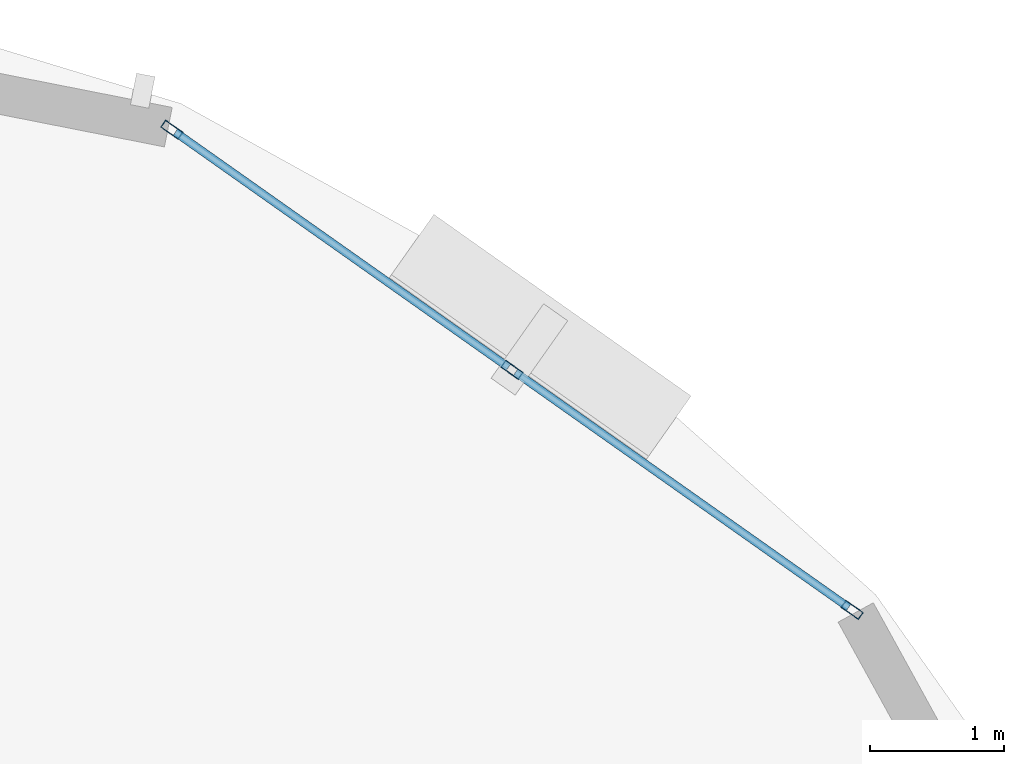
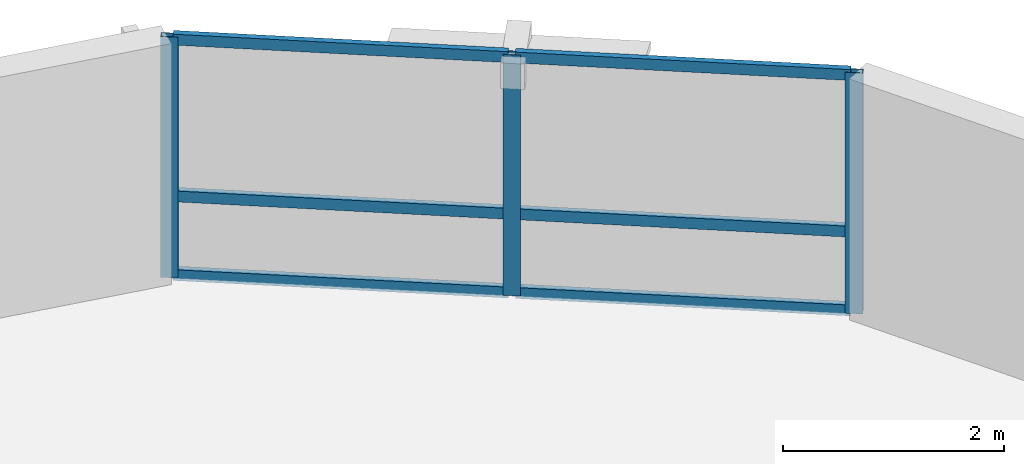
# One storey, part 6 of 12: 9 members, 1 element without a shape of its own.
"""IFC4 building model written with IfcOpenShell, lengths in metres."""

from ifc_helpers import new_model, si_unit, direction, frame, origin, origin_2d, place, context, subcontext, project, spatial, hollow_rectangle, extrude, material, layer, layer_set, material_profile, profile_set, type_object, element, aggregate, save


model = new_model("IFC4")

# Units and contexts
model_context = context("Model", 3, precision=1e-05, world=origin(), true_north=direction((0.0, 1.0)))
body_context = subcontext(model_context, "Body", "Model", "MODEL_VIEW")
ifc_project = project(units=[si_unit("LENGTHUNIT", "METRE"), si_unit("AREAUNIT", "SQUARE_METRE"), si_unit("VOLUMEUNIT", "CUBIC_METRE"), si_unit("PLANEANGLEUNIT", "RADIAN"), si_unit("MASSUNIT", "GRAM", prefix="KILO"), si_unit("THERMODYNAMICTEMPERATUREUNIT", "KELVIN"), si_unit("POWERUNIT", "WATT")], contexts=[model_context])

# Site, building, storey
site_placement = place(None, origin())
site = spatial("IfcSite", under=ifc_project, at=site_placement, CompositionType="ELEMENT")
building_placement = place(site_placement, origin())
building = spatial("IfcBuilding", under=site, at=building_placement, Name="Ocrelia Relay Tower", CompositionType="ELEMENT")
storey_placement = place(building_placement, frame((0.0, 0.0, 206.0)))
storey = spatial("IfcBuildingStorey", under=building, at=storey_placement, Name="L50", CompositionType="ELEMENT", Elevation=206.0)

# Curtain wall, members
ifc_material_1 = material(Name="Aluminium and solar-control low-E glass", Category="aluminium")
ifc_layer = layer(ifc_material_1, 0.179931640625, Name="Aluminium and solar-control low-E glass")
ifc_layer_set = layer_set([ifc_layer], Name="Aluminium and solar-control low-E glass")
curtain_wall_type = type_object("IfcCurtainWallType", Name="CW-SYS-Z3-CLOU", PredefinedType="NOTDEFINED", material=ifc_layer_set)
curtain_wall_placement = place(storey_placement, origin())
curtain_wall = element("IfcCurtainWall", 1, at=curtain_wall_placement, inside=storey, type_object=curtain_wall_type, Name="L50 Elliptical Tower Curtain Wall Bay 01", PredefinedType="NOTDEFINED")
ifc_material_2 = material(Name="Anodised bronze aluminium", Category="aluminium")
ifc_material_profile_1 = material_profile(ifc_material_2, hollow_rectangle(XDim=0.06494140625, YDim=0.159912109375, WallThickness=0.0048828125, at=origin_2d()), Name="CW-MUL-160x65")
ifc_profile_set_1 = profile_set([ifc_material_profile_1], Name="Anodised bronze aluminium")
member_type_1 = type_object("IfcMemberType", Name="CW-SYS-Z3-CLOU-MUL", PredefinedType="MULLION", material=ifc_profile_set_1)
member_1_placement = place(storey_placement, frame((51.41748046875, 41.61572265625, 0.0), z_axis=(0.0, 0.0, 1.0), x_axis=(-0.576713817762, -0.816946248172, 0.0)))
member_1 = element("IfcMember", 2, at=member_1_placement, type_object=member_type_1, Name="CW-Z3 mullion 1", PredefinedType="MULLION", context=body_context, shape_type="SweptSolid", body=[
    extrude(hollow_rectangle(XDim=0.06494140625, YDim=0.159912109375, WallThickness=0.0048828125, at=origin_2d()), origin(), (0.0, 0.0, 1.0), 2.659912109375),
])
member_2_placement = place(storey_placement, frame((48.877685546875, 43.408447265625, 0.0), z_axis=(0.0, 0.0, 1.0), x_axis=(-0.576713817762, -0.816946248172, 0.0)))
member_2 = element("IfcMember", 3, at=member_2_placement, type_object=member_type_1, Name="CW-Z3 mullion 2", PredefinedType="MULLION", context=body_context, shape_type="SweptSolid", body=[
    extrude(hollow_rectangle(XDim=0.06494140625, YDim=0.159912109375, WallThickness=0.0048828125, at=origin_2d()), origin(), (0.0, 0.0, 1.0), 2.659912109375),
])
member_3_placement = place(storey_placement, frame((46.338134765625, 45.201416015625, 0.0), z_axis=(0.0, 0.0, 1.0), x_axis=(-0.576713817762, -0.816946248172, 0.0)))
member_3 = element("IfcMember", 4, at=member_3_placement, type_object=member_type_1, Name="CW-Z3 mullion 3", PredefinedType="MULLION", context=body_context, shape_type="SweptSolid", body=[
    extrude(hollow_rectangle(XDim=0.06494140625, YDim=0.159912109375, WallThickness=0.0048828125, at=origin_2d()), origin(), (0.0, 0.0, 1.0), 2.659912109375),
])
ifc_material_profile_2 = material_profile(ifc_material_2, hollow_rectangle(XDim=0.06005859375, YDim=0.1201171875, WallThickness=0.0048828125, at=origin_2d()), Name="CW-TRN-120x60")
ifc_profile_set_2 = profile_set([ifc_material_profile_2], Name="Anodised bronze aluminium")
member_type_2 = type_object("IfcMemberType", Name="CW-SYS-Z3-CLOU-TRN", PredefinedType="USERDEFINED", material=ifc_profile_set_2)
member_4_placement = place(storey_placement, frame((51.39111328125, 41.63427734375, 0.030029296875), z_axis=(-0.816934521701, 0.576730428583, 0.0), x_axis=(-0.576730428583, -0.816934521701, 0.0)))
member_4 = element("IfcMember", 5, at=member_4_placement, type_object=member_type_2, Name="CW-Z3 transom 1.1", ObjectType="TRANSOM", PredefinedType="USERDEFINED", context=body_context, shape_type="SweptSolid", body=[
    extrude(hollow_rectangle(XDim=0.06005859375, YDim=0.1201171875, WallThickness=0.0048828125, at=origin_2d()), origin(), (0.0, 0.0, 1.0), 3.044189453125),
])
member_5_placement = place(storey_placement, frame((51.39111328125, 41.63427734375, 0.89990234375), z_axis=(-0.816934521701, 0.576730428583, 0.0), x_axis=(-0.576730428583, -0.816934521701, 0.0)))
member_5 = element("IfcMember", 6, at=member_5_placement, type_object=member_type_2, Name="CW-Z3 transom 1.2", ObjectType="TRANSOM", PredefinedType="USERDEFINED", context=body_context, shape_type="SweptSolid", body=[
    extrude(hollow_rectangle(XDim=0.06005859375, YDim=0.1201171875, WallThickness=0.0048828125, at=origin_2d()), origin(), (0.0, 0.0, 1.0), 3.044189453125),
])
member_6_placement = place(storey_placement, frame((51.39111328125, 41.63427734375, 2.6298828125), z_axis=(-0.816934521701, 0.576730428583, 0.0), x_axis=(-0.576730428583, -0.816934521701, 0.0)))
member_6 = element("IfcMember", 7, at=member_6_placement, type_object=member_type_2, Name="CW-Z3 transom 1.3", ObjectType="TRANSOM", PredefinedType="USERDEFINED", context=body_context, shape_type="SweptSolid", body=[
    extrude(hollow_rectangle(XDim=0.06005859375, YDim=0.1201171875, WallThickness=0.0048828125, at=origin_2d()), origin(), (0.0, 0.0, 1.0), 3.044189453125),
])
member_7_placement = place(storey_placement, frame((48.851318359375, 43.42724609375, 0.030029296875), z_axis=(-0.816972308806, 0.576676899697, 0.0), x_axis=(-0.576676899697, -0.816972308806, 0.0)))
member_7 = element("IfcMember", 8, at=member_7_placement, type_object=member_type_2, Name="CW-Z3 transom 2.1", ObjectType="TRANSOM", PredefinedType="USERDEFINED", context=body_context, shape_type="SweptSolid", body=[
    extrude(hollow_rectangle(XDim=0.06005859375, YDim=0.1201171875, WallThickness=0.0048828125, at=origin_2d()), origin(), (0.0, 0.0, 1.0), 3.0439453125),
])
member_8_placement = place(storey_placement, frame((48.851318359375, 43.42724609375, 0.89990234375), z_axis=(-0.816972308806, 0.576676899697, 0.0), x_axis=(-0.576676899697, -0.816972308806, 0.0)))
member_8 = element("IfcMember", 9, at=member_8_placement, type_object=member_type_2, Name="CW-Z3 transom 2.2", ObjectType="TRANSOM", PredefinedType="USERDEFINED", context=body_context, shape_type="SweptSolid", body=[
    extrude(hollow_rectangle(XDim=0.06005859375, YDim=0.1201171875, WallThickness=0.0048828125, at=origin_2d()), origin(), (0.0, 0.0, 1.0), 3.0439453125),
])
member_9_placement = place(storey_placement, frame((48.851318359375, 43.42724609375, 2.6298828125), z_axis=(-0.816972308806, 0.576676899697, 0.0), x_axis=(-0.576676899697, -0.816972308806, 0.0)))
member_9 = element("IfcMember", 10, at=member_9_placement, type_object=member_type_2, Name="CW-Z3 transom 2.3", ObjectType="TRANSOM", PredefinedType="USERDEFINED", context=body_context, shape_type="SweptSolid", body=[
    extrude(hollow_rectangle(XDim=0.06005859375, YDim=0.1201171875, WallThickness=0.0048828125, at=origin_2d()), origin(), (0.0, 0.0, 1.0), 3.0439453125),
])
aggregate(curtain_wall, [member_1, member_2, member_3, member_4, member_5, member_6, member_7, member_8, member_9])

save(model, "model.ifc")
